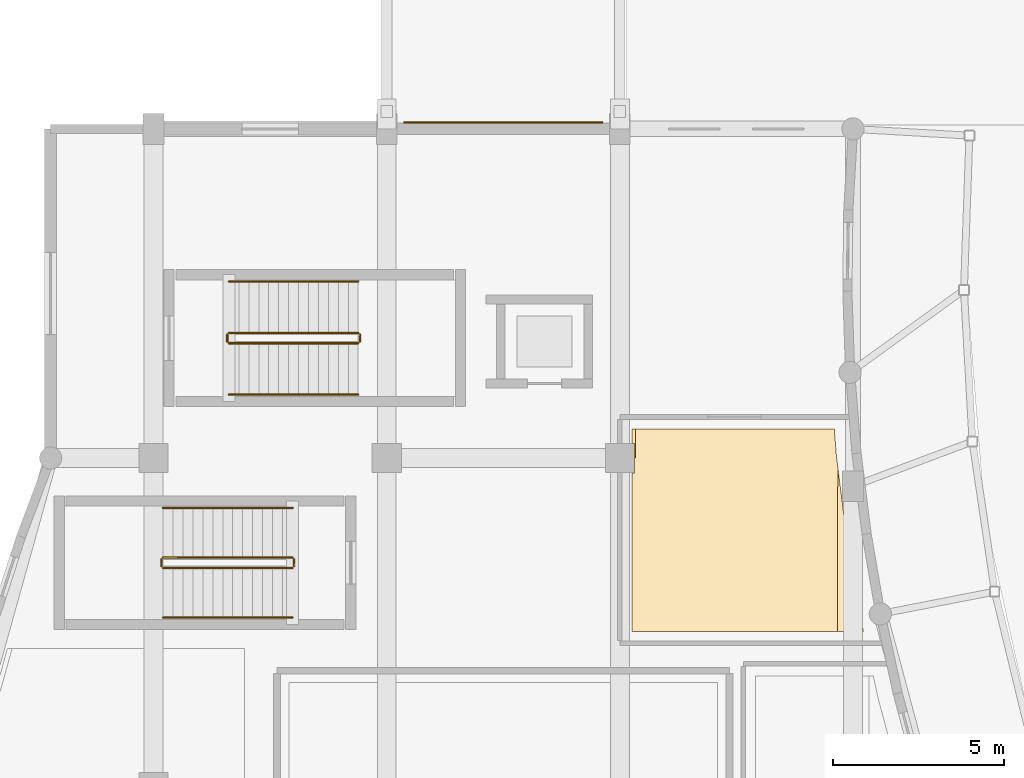
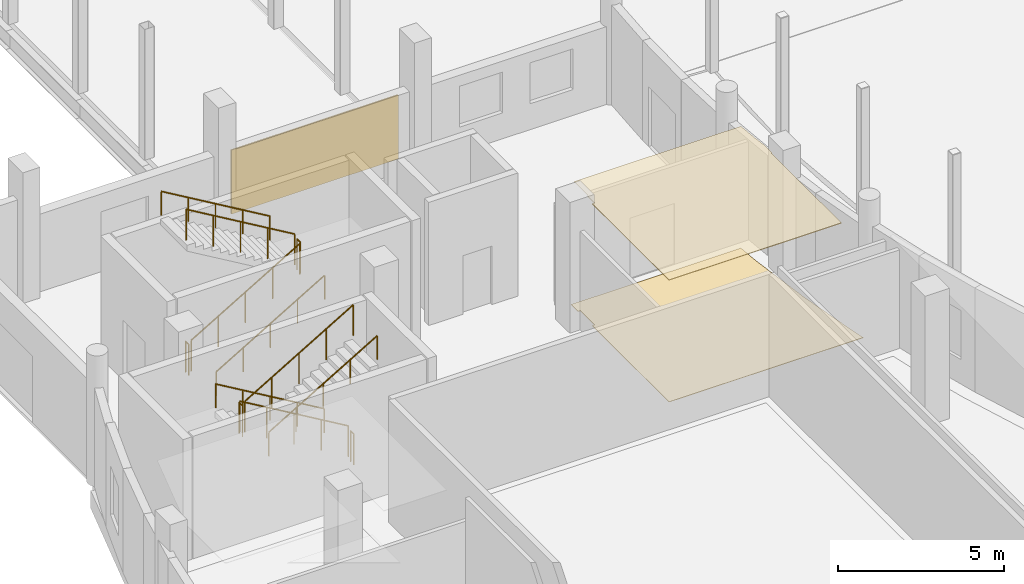
# One storey, part 83 of 97: 12 railings, 3 coverings.
"""IFC4 building model written with IfcOpenShell, lengths in metres."""

from ifc_helpers import new_model, si_unit, direction, frame, origin, origin_2d, place, context, subcontext, project, spatial, polyline, rectangle, circle, outline, extrude, material, layer, layer_set, type_object, element, save


model = new_model("IFC4")

# Units and contexts
model_context = context("Model", 3, precision=1e-05, world=origin(), true_north=direction((0.0, 1.0)))
body_context = subcontext(model_context, "Body", "Model", "MODEL_VIEW")
ifc_project = project(units=[si_unit("LENGTHUNIT", "METRE"), si_unit("AREAUNIT", "SQUARE_METRE"), si_unit("VOLUMEUNIT", "CUBIC_METRE"), si_unit("PLANEANGLEUNIT", "RADIAN"), si_unit("MASSUNIT", "GRAM", prefix="KILO")], contexts=[model_context])

# Site, building, storey
site_placement = place(None, origin())
site = spatial("IfcSite", under=ifc_project, at=site_placement, CompositionType="ELEMENT")
building_placement = place(site_placement, origin())
building = spatial("IfcBuilding", under=site, at=building_placement, Name="Kisaragi Civic Commons", CompositionType="ELEMENT")
storey_placement = place(building_placement, origin())
storey = spatial("IfcBuildingStorey", under=building, at=storey_placement, Name="L00", CompositionType="ELEMENT", Elevation=0.0)

# Coverings
ifc_material_1 = material(Name="Extruded Tokoname terracotta rainscreen tile", Category="masonry")
ifc_layer_1 = layer(ifc_material_1, 0.0400390625, Name="Extruded Tokoname terracotta rainscreen tile", Category="masonry")
ifc_layer_set_1 = layer_set([ifc_layer_1], Name="Extruded Tokoname terracotta rainscreen tile")
covering_type_1 = type_object("IfcCoveringType", Name="CLD-01", PredefinedType="CLADDING", material=ifc_layer_set_1)
covering_1_placement = place(storey_placement, frame((17.0, 62.58544921875, 0.25), z_axis=(0.0, 0.0, 1.0), x_axis=(1.0, 0.0, 0.0)))
element("IfcCovering", 1, at=covering_1_placement, inside=storey, type_object=covering_type_1, Name="V1 L00 terracotta facade cladding 1", PredefinedType="CLADDING", context=body_context, shape_type="SweptSolid", body=[
    extrude(rectangle(XDim=5.800048828125, YDim=0.0400390625, at=origin_2d()), origin(), (0.0, 0.0, 1.0), 2.35498046875),
])
ifc_material_2 = material(Name="Perforated mineral-fibre & hinoki slat acoustic ceiling")
ifc_layer_2 = layer(ifc_material_2, 0.02490234375, Name="Perforated mineral-fibre & hinoki slat acoustic ceiling")
ifc_layer_set_2 = layer_set([ifc_layer_2], Name="Perforated mineral-fibre & hinoki slat acoustic ceiling")
covering_type_2 = type_object("IfcCoveringType", Name="CLG-02", PredefinedType="CEILING", material=ifc_layer_set_2)
covering_2_placement = place(storey_placement, frame((0.0, 0.0, 4.469970703125)))
element("IfcCovering", 2, at=covering_2_placement, inside=storey, type_object=covering_type_2, Name="Community Information Lounge acoustic ceiling", PredefinedType="CEILING", context=body_context, shape_type="SweptSolid", body=[
    extrude(outline(polyline([(26.713623046875, 52.888916015625), (26.6533203125, 53.64990234375), (20.860107421875, 53.64990234375), (20.860107421875, 52.800048828125), (20.830078125, 52.800048828125), (20.830078125, 52.3701171875), (20.75, 52.3701171875), (20.75, 47.75), (26.739990234375, 47.75), (26.739990234375, 51.97900390625), (26.764892578125, 51.97900390625), (26.764892578125, 52.474609375), (26.715576171875, 52.8701171875), (26.713623046875, 52.888916015625)])), origin(), (0.0, 0.0, 1.0), 0.025146484375),
])
ifc_material_3 = material(Name="Honed Mino ceramic tile & resilience acoustic flooring")
ifc_layer_3 = layer(ifc_material_3, 0.01611328125, Name="Honed Mino ceramic tile & resilience acoustic flooring")
ifc_layer_set_3 = layer_set([ifc_layer_3], Name="Honed Mino ceramic tile & resilience acoustic flooring")
covering_type_3 = type_object("IfcCoveringType", Name="FLR-02", PredefinedType="FLOORING", material=ifc_layer_set_3)
covering_3_placement = place(storey_placement, origin())
element("IfcCovering", 3, at=covering_3_placement, inside=storey, type_object=covering_type_3, Name="Community Information Lounge floor finish", PredefinedType="FLOORING", context=body_context, shape_type="SweptSolid", body=[
    extrude(outline(polyline([(26.6533203125, 53.64990234375), (20.75, 53.64990234375), (20.75, 53.22998046875), (20.830078125, 53.22998046875), (20.830078125, 52.3701171875), (20.75, 52.3701171875), (20.75, 47.75), (27.50341796875, 47.75), (27.419677734375, 48.1328125), (27.416015625, 48.151611328125), (27.013671875, 50.493408203125), (27.010986328125, 50.51220703125), (26.715576171875, 52.8701171875), (26.713623046875, 52.888916015625), (26.6533203125, 53.64990234375)])), origin(), (0.0, 0.0, 1.0), 0.01611328125),
])

# Railings
ifc_material_4 = material(Name="Powder-coated architectural steel and hinoki cap rail", Category="steel")
railing_type_1 = type_object("IfcRailingType", Name="GRD-S1", PredefinedType="GUARDRAIL", material=ifc_material_4)
railing_1_placement = place(storey_placement, frame((9.0, 56.14990234375, 0.17138671875)))
element("IfcRailing", 4, at=railing_1_placement, inside=storey, type_object=railing_type_1, Name="L00 ST-M1 stair guard 1", PredefinedType="GUARDRAIL", context=body_context, shape_type="SweptSolid", body=[
    extrude(circle(Radius=0.02392578125, at=origin_2d()), frame((0.0, 0.0, 1.1259765625), z_axis=(0.860848830602, 0.0, 0.508860777473), x_axis=(0.0, 1.0, 0.0)), (0.0, 0.0, 1.0), 4.37939453125),
    extrude(circle(Radius=0.02099609375, at=origin_2d()), origin(), (0.0, 0.0, 1.0), 1.101806640625),
    extrude(circle(Radius=0.02099609375, at=origin_2d()), frame((0.9423828125, 0.0, 0.55712890625)), (0.0, 0.0, 1.0), 1.101806640625),
    extrude(circle(Radius=0.02099609375, at=origin_2d()), frame((1.885009765625, 0.0, 1.1142578125)), (0.0, 0.0, 1.0), 1.101806640625),
    extrude(circle(Radius=0.02099609375, at=origin_2d()), frame((2.82763671875, 0.0, 1.67138671875)), (0.0, 0.0, 1.0), 1.101806640625),
    extrude(circle(Radius=0.02099609375, at=origin_2d()), frame((3.77001953125, 0.0, 2.228515625)), (0.0, 0.0, 1.0), 1.101806640625),
])
railing_2_placement = place(storey_placement, frame((12.820068359375, 56.199951171875, 2.39990234375)))
element("IfcRailing", 5, at=railing_2_placement, inside=storey, type_object=railing_type_1, Name="L00 ST-M1 stair guard 2", PredefinedType="GUARDRAIL", context=body_context, shape_type="SweptSolid", body=[
    extrude(circle(Radius=0.02392578125, at=origin_2d()), frame((0.0, 0.0, 1.1259765625), z_axis=(0.0, 1.0, 0.0), x_axis=(-1.0, 0.0, 0.0)), (0.0, 0.0, 1.0), 0.199951171875),
    extrude(circle(Radius=0.02099609375, at=origin_2d()), origin(), (0.0, 0.0, 1.0), 1.101806640625),
    extrude(circle(Radius=0.02099609375, at=origin_2d()), frame((0.0, 0.199951171875, 0.0)), (0.0, 0.0, 1.0), 1.101806640625),
])
railing_3_placement = place(storey_placement, frame((12.77001953125, 56.449951171875, 2.571533203125)))
element("IfcRailing", 6, at=railing_3_placement, inside=storey, type_object=railing_type_1, Name="L00 ST-M1 stair guard 3", PredefinedType="GUARDRAIL", context=body_context, shape_type="SweptSolid", body=[
    extrude(circle(Radius=0.02392578125, at=origin_2d()), frame((0.0, 0.0, 1.1259765625), z_axis=(-0.860848830602, 0.0, 0.508860777473), x_axis=(0.0, -1.0, 0.0)), (0.0, 0.0, 1.0), 4.37939453125),
    extrude(circle(Radius=0.02099609375, at=origin_2d()), origin(), (0.0, 0.0, 1.0), 1.101806640625),
    extrude(circle(Radius=0.02099609375, at=origin_2d()), frame((-0.9423828125, 0.0, 0.55712890625)), (0.0, 0.0, 1.0), 1.101806640625),
    extrude(circle(Radius=0.02099609375, at=origin_2d()), frame((-1.885009765625, 0.0, 1.1142578125)), (0.0, 0.0, 1.0), 1.101806640625),
    extrude(circle(Radius=0.02099609375, at=origin_2d()), frame((-2.82763671875, 0.0, 1.67138671875)), (0.0, 0.0, 1.0), 1.101806640625),
    extrude(circle(Radius=0.02099609375, at=origin_2d()), frame((-3.77001953125, 0.0, 2.228515625)), (0.0, 0.0, 1.0), 1.101806640625),
])
railing_4_placement = place(storey_placement, frame((8.949951171875, 56.199951171875, 0.0)))
element("IfcRailing", 7, at=railing_4_placement, inside=storey, type_object=railing_type_1, Name="L00 ST-M1 stair guard 4", PredefinedType="GUARDRAIL", context=body_context, shape_type="SweptSolid", body=[
    extrude(circle(Radius=0.02392578125, at=origin_2d()), frame((0.0, 0.0, 1.1259765625), z_axis=(0.0, 1.0, 0.0), x_axis=(-1.0, 0.0, 0.0)), (0.0, 0.0, 1.0), 0.199951171875),
    extrude(circle(Radius=0.02099609375, at=origin_2d()), origin(), (0.0, 0.0, 1.0), 1.101806640625),
    extrude(circle(Radius=0.02099609375, at=origin_2d()), frame((0.0, 0.199951171875, 0.0)), (0.0, 0.0, 1.0), 1.101806640625),
])
railing_5_placement = place(storey_placement, frame((10.85009765625, 49.89990234375, 0.17138671875)))
element("IfcRailing", 8, at=railing_5_placement, inside=storey, type_object=railing_type_1, Name="L00 ST-M3 stair guard 1", PredefinedType="GUARDRAIL", context=body_context, shape_type="SweptSolid", body=[
    extrude(circle(Radius=0.02392578125, at=origin_2d()), frame((0.0, 0.0, 1.1259765625), z_axis=(-0.860848830602, 0.0, 0.508860777473), x_axis=(0.0, -1.0, 0.0)), (0.0, 0.0, 1.0), 4.37939453125),
    extrude(circle(Radius=0.02099609375, at=origin_2d()), origin(), (0.0, 0.0, 1.0), 1.101806640625),
    extrude(circle(Radius=0.02099609375, at=origin_2d()), frame((-0.9423828125, 0.0, 0.55712890625)), (0.0, 0.0, 1.0), 1.101806640625),
    extrude(circle(Radius=0.02099609375, at=origin_2d()), frame((-1.885009765625, 0.0, 1.1142578125)), (0.0, 0.0, 1.0), 1.101806640625),
    extrude(circle(Radius=0.02099609375, at=origin_2d()), frame((-2.82763671875, 0.0, 1.67138671875)), (0.0, 0.0, 1.0), 1.101806640625),
    extrude(circle(Radius=0.02099609375, at=origin_2d()), frame((-3.77001953125, 0.0, 2.228515625)), (0.0, 0.0, 1.0), 1.101806640625),
])
railing_6_placement = place(storey_placement, frame((7.030029296875, 49.85009765625, 2.39990234375)))
element("IfcRailing", 9, at=railing_6_placement, inside=storey, type_object=railing_type_1, Name="L00 ST-M3 stair guard 2", PredefinedType="GUARDRAIL", context=body_context, shape_type="SweptSolid", body=[
    extrude(circle(Radius=0.02392578125, at=origin_2d()), frame((0.0, 0.0, 1.1259765625), z_axis=(0.0, -1.0, 0.0), x_axis=(1.0, 0.0, 0.0)), (0.0, 0.0, 1.0), 0.2001953125),
    extrude(circle(Radius=0.02099609375, at=origin_2d()), origin(), (0.0, 0.0, 1.0), 1.101806640625),
    extrude(circle(Radius=0.02099609375, at=origin_2d()), frame((0.0, -0.2001953125, 0.0)), (0.0, 0.0, 1.0), 1.101806640625),
])
railing_7_placement = place(storey_placement, frame((7.080078125, 49.60009765625, 2.571533203125)))
element("IfcRailing", 10, at=railing_7_placement, inside=storey, type_object=railing_type_1, Name="L00 ST-M3 stair guard 3", PredefinedType="GUARDRAIL", context=body_context, shape_type="SweptSolid", body=[
    extrude(circle(Radius=0.02392578125, at=origin_2d()), frame((0.0, 0.0, 1.1259765625), z_axis=(0.860848830602, 0.0, 0.508860777473), x_axis=(0.0, 1.0, 0.0)), (0.0, 0.0, 1.0), 4.37939453125),
    extrude(circle(Radius=0.02099609375, at=origin_2d()), origin(), (0.0, 0.0, 1.0), 1.101806640625),
    extrude(circle(Radius=0.02099609375, at=origin_2d()), frame((0.9423828125, 0.0, 0.55712890625)), (0.0, 0.0, 1.0), 1.101806640625),
    extrude(circle(Radius=0.02099609375, at=origin_2d()), frame((1.885009765625, 0.0, 1.1142578125)), (0.0, 0.0, 1.0), 1.101806640625),
    extrude(circle(Radius=0.02099609375, at=origin_2d()), frame((2.82763671875, 0.0, 1.67138671875)), (0.0, 0.0, 1.0), 1.101806640625),
    extrude(circle(Radius=0.02099609375, at=origin_2d()), frame((3.77001953125, 0.0, 2.228515625)), (0.0, 0.0, 1.0), 1.101806640625),
])
railing_8_placement = place(storey_placement, frame((10.89990234375, 49.85009765625, 0.0)))
element("IfcRailing", 11, at=railing_8_placement, inside=storey, type_object=railing_type_1, Name="L00 ST-M3 stair guard 4", PredefinedType="GUARDRAIL", context=body_context, shape_type="SweptSolid", body=[
    extrude(circle(Radius=0.02392578125, at=origin_2d()), frame((0.0, 0.0, 1.1259765625), z_axis=(0.0, -1.0, 0.0), x_axis=(1.0, 0.0, 0.0)), (0.0, 0.0, 1.0), 0.2001953125),
    extrude(circle(Radius=0.02099609375, at=origin_2d()), origin(), (0.0, 0.0, 1.0), 1.101806640625),
    extrude(circle(Radius=0.02099609375, at=origin_2d()), frame((0.0, -0.2001953125, 0.0)), (0.0, 0.0, 1.0), 1.101806640625),
])
railing_type_2 = type_object("IfcRailingType", Name="HRL-01", PredefinedType="HANDRAIL", material=ifc_material_4)
railing_9_placement = place(storey_placement, frame((9.0, 54.64990234375, 0.17138671875)))
element("IfcRailing", 12, at=railing_9_placement, inside=storey, type_object=railing_type_2, Name="L00 ST-M1 stair handrail 1", PredefinedType="HANDRAIL", context=body_context, shape_type="SweptSolid", body=[
    extrude(circle(Radius=0.02392578125, at=origin_2d()), frame((0.0, 0.0, 0.8759765625), z_axis=(0.860848830602, 0.0, 0.508860777473), x_axis=(0.0, 1.0, 0.0)), (0.0, 0.0, 1.0), 4.37939453125),
    extrude(circle(Radius=0.02099609375, at=origin_2d()), origin(), (0.0, 0.0, 1.0), 0.851806640625),
    extrude(circle(Radius=0.02099609375, at=origin_2d()), frame((0.9423828125, 0.0, 0.55712890625)), (0.0, 0.0, 1.0), 0.851806640625),
    extrude(circle(Radius=0.02099609375, at=origin_2d()), frame((1.885009765625, 0.0, 1.1142578125)), (0.0, 0.0, 1.0), 0.851806640625),
    extrude(circle(Radius=0.02099609375, at=origin_2d()), frame((2.82763671875, 0.0, 1.67138671875)), (0.0, 0.0, 1.0), 0.851806640625),
    extrude(circle(Radius=0.02099609375, at=origin_2d()), frame((3.77001953125, 0.0, 2.228515625)), (0.0, 0.0, 1.0), 0.851806640625),
])
for number, where, name in (
    (13, (12.77001953125, 57.949951171875, 2.571533203125), "L00 ST-M1 stair handrail 2"),
    (14, (10.85009765625, 51.35009765625, 0.17138671875), "L00 ST-M3 stair handrail 1"),
):
    element("IfcRailing", number, at=place(storey_placement, frame(where)), inside=storey, type_object=railing_type_2, Name=name, PredefinedType="HANDRAIL", context=body_context, shape_type="SweptSolid", body=[
        extrude(circle(Radius=0.02392578125, at=origin_2d()), frame((0.0, 0.0, 0.8759765625), z_axis=(-0.860848830602, 0.0, 0.508860777473), x_axis=(0.0, -1.0, 0.0)), (0.0, 0.0, 1.0), 4.37939453125),
        extrude(circle(Radius=0.02099609375, at=origin_2d()), origin(), (0.0, 0.0, 1.0), 0.851806640625),
        extrude(circle(Radius=0.02099609375, at=origin_2d()), frame((-0.9423828125, 0.0, 0.55712890625)), (0.0, 0.0, 1.0), 0.851806640625),
        extrude(circle(Radius=0.02099609375, at=origin_2d()), frame((-1.885009765625, 0.0, 1.1142578125)), (0.0, 0.0, 1.0), 0.851806640625),
        extrude(circle(Radius=0.02099609375, at=origin_2d()), frame((-2.82763671875, 0.0, 1.67138671875)), (0.0, 0.0, 1.0), 0.851806640625),
        extrude(circle(Radius=0.02099609375, at=origin_2d()), frame((-3.77001953125, 0.0, 2.228515625)), (0.0, 0.0, 1.0), 0.851806640625),
    ])
railing_10_placement = place(storey_placement, frame((7.080078125, 48.14990234375, 2.571533203125)))
element("IfcRailing", 15, at=railing_10_placement, inside=storey, type_object=railing_type_2, Name="L00 ST-M3 stair handrail 2", PredefinedType="HANDRAIL", context=body_context, shape_type="SweptSolid", body=[
    extrude(circle(Radius=0.02392578125, at=origin_2d()), frame((0.0, 0.0, 0.8759765625), z_axis=(0.860848830602, 0.0, 0.508860777473), x_axis=(0.0, 1.0, 0.0)), (0.0, 0.0, 1.0), 4.37939453125),
    extrude(circle(Radius=0.02099609375, at=origin_2d()), origin(), (0.0, 0.0, 1.0), 0.851806640625),
    extrude(circle(Radius=0.02099609375, at=origin_2d()), frame((0.9423828125, 0.0, 0.55712890625)), (0.0, 0.0, 1.0), 0.851806640625),
    extrude(circle(Radius=0.02099609375, at=origin_2d()), frame((1.885009765625, 0.0, 1.1142578125)), (0.0, 0.0, 1.0), 0.851806640625),
    extrude(circle(Radius=0.02099609375, at=origin_2d()), frame((2.82763671875, 0.0, 1.67138671875)), (0.0, 0.0, 1.0), 0.851806640625),
    extrude(circle(Radius=0.02099609375, at=origin_2d()), frame((3.77001953125, 0.0, 2.228515625)), (0.0, 0.0, 1.0), 0.851806640625),
])

save(model, "model.ifc")
